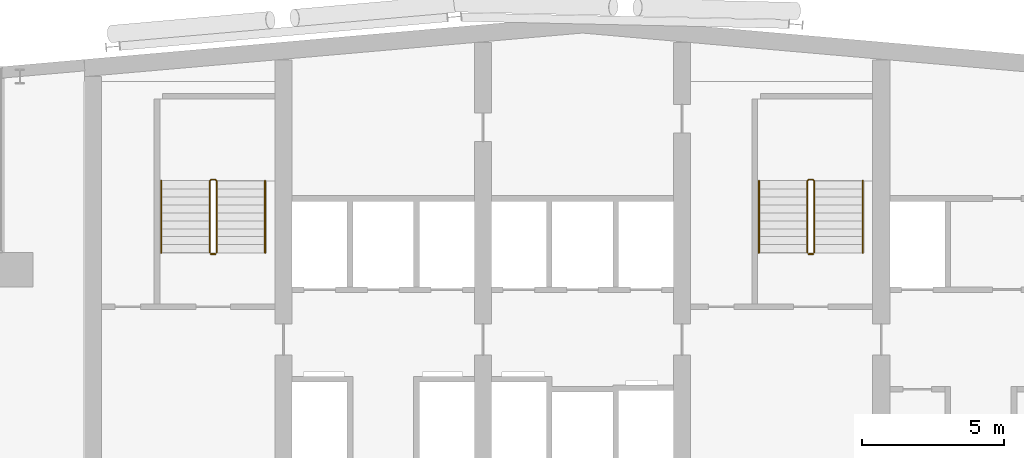
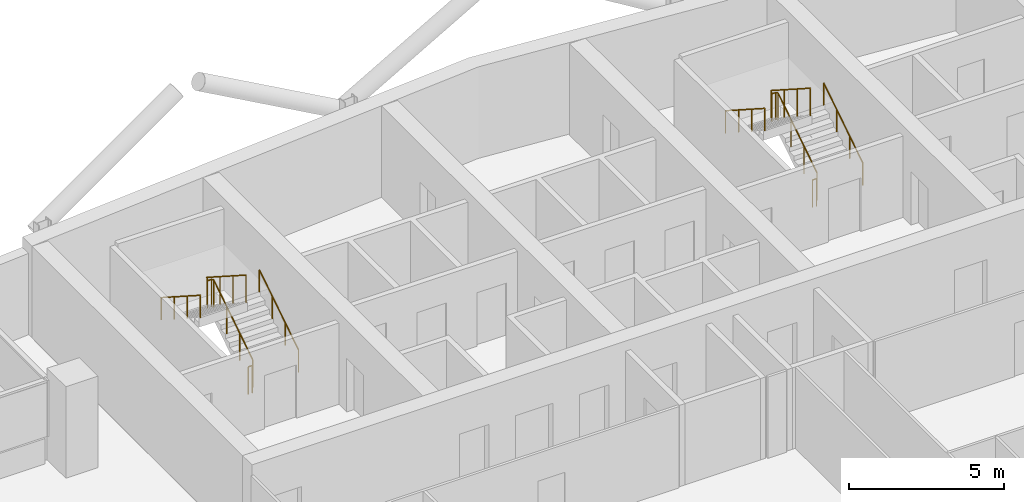
# One storey, part 25 of 25: 8 railings.
"""IFC4 building model written with IfcOpenShell, lengths in metres."""

import ifcopenshell
import ifcopenshell.guid

model = None  # the IFC model being written
_history = None  # IfcOwnerHistory: only IFC2X3 demands one
_inside = {}  # id of a spatial element -> (the spatial element, [elements in it])
_under = {}  # id of a project, library or spatial element -> (it, [spatial elements below it])
_declared = {}  # id of a project -> (the project, [libraries it declares])
_typed = {}  # id of a type object -> (the type object, [elements of that type])
_made_of = {}  # id of a material, layer set ... -> (it, [elements and type objects made of it])


def new_model(schema):
    """Start an empty IFC model of exactly this schema.

    Asked for "IFC4X3", IfcOpenShell would pick the latest addendum, in which some entities
    have other attributes; the version numbers below select the first issue.
    IFC2X3 requires an IfcOwnerHistory on every rooted entity: one is made here for all.
    """
    global model, _history
    if schema == "IFC4X3":
        model = ifcopenshell.file(schema_version=(4, 3, 0, 0))
    else:
        model = ifcopenshell.file(schema=schema)
    _inside.clear()
    _under.clear()
    _declared.clear()
    _typed.clear()
    _made_of.clear()
    _history = None
    if model.schema == "IFC2X3":
        org = make("IfcOrganization", Name="unknown")
        user = make(
            "IfcPersonAndOrganization",
            ThePerson=make("IfcPerson", FamilyName="unknown"),
            TheOrganization=org,
        )
        app = make(
            "IfcApplication",
            ApplicationDeveloper=org,
            Version="unknown",
            ApplicationFullName="unknown",
            ApplicationIdentifier="unknown",
        )
        _history = make(
            "IfcOwnerHistory",
            OwningUser=user,
            OwningApplication=app,
            ChangeAction="ADDED",
            CreationDate=0,
        )
    return model


def make(cls, **values):
    """One entity of the class cls with the attributes given. An attribute that is None is left unset."""
    return model.create_entity(
        cls, **{name: value for name, value in values.items() if value is not None}
    )


def rooted(cls, **values):
    """An entity with a GlobalId (a new one), such as an element, a storey or a relation."""
    return make(cls, GlobalId=ifcopenshell.guid.new(), OwnerHistory=_history, **values)


def si_unit(unit_type, name, prefix=None):
    """IfcSIUnit, for example si_unit("LENGTHUNIT", "METRE", prefix="MILLI")."""
    return make("IfcSIUnit", UnitType=unit_type, Prefix=prefix, Name=name)


def assignment(units):
    """IfcUnitAssignment: the units of a project."""
    return None if units is None else make("IfcUnitAssignment", Units=units)


def point(xyz):
    """IfcCartesianPoint."""
    return None if xyz is None else make("IfcCartesianPoint", Coordinates=xyz)


def direction(xyz):
    """IfcDirection."""
    return None if xyz is None else make("IfcDirection", DirectionRatios=xyz)


def frame(location, z_axis=None, x_axis=None):
    """IfcAxis2Placement3D, a coordinate frame: its origin and axes. An axis left out is left unset."""
    return make(
        "IfcAxis2Placement3D",
        Location=point(location),
        Axis=direction(z_axis),
        RefDirection=direction(x_axis),
    )


def frame_2d(location, x_axis=None):
    """IfcAxis2Placement2D, a coordinate frame in the plane: its origin and x axis."""
    return make(
        "IfcAxis2Placement2D", Location=point(location), RefDirection=direction(x_axis)
    )


def origin():
    """The frame at (0, 0, 0) with its axes left unset."""
    return frame((0.0, 0.0, 0.0))


def origin_2d():
    """The frame at (0, 0) in the plane with its x axis left unset."""
    return frame_2d((0.0, 0.0))


def place(relative_to, where):
    """IfcLocalPlacement: puts the frame where relative to a parent placement (None: the world)."""
    return make(
        "IfcLocalPlacement", PlacementRelTo=relative_to, RelativePlacement=where
    )


def context(
    kind, dimensions, precision=None, world=None, true_north=None, identifier=None
):
    """IfcGeometricRepresentationContext, for example the 3D "Model" context."""
    return make(
        "IfcGeometricRepresentationContext",
        ContextIdentifier=identifier,
        ContextType=kind,
        CoordinateSpaceDimension=dimensions,
        Precision=precision,
        WorldCoordinateSystem=world,
        TrueNorth=true_north,
    )


def subcontext(parent, identifier, kind, view, scale=None):
    """IfcGeometricRepresentationSubContext, for example "Body" below "Model"."""
    return make(
        "IfcGeometricRepresentationSubContext",
        ContextIdentifier=identifier,
        ContextType=kind,
        ParentContext=parent,
        TargetScale=scale,
        TargetView=view,
    )


def project(units=None, contexts=None):
    """IfcProject with its units and contexts."""
    return rooted(
        "IfcProject",
        Name="project",
        RepresentationContexts=contexts,
        UnitsInContext=assignment(units),
    )


def spatial(cls, under=None, at=None, **own):
    """A site, building, storey or space (cls), placed at a placement, below another one or the project."""
    s = rooted(cls, ObjectPlacement=at, **own)
    if under is not None:
        _under.setdefault(under.id(), (under, []))[1].append(s)
    return s


def profile(cls, at=None, kind="AREA", **sizes):
    """A parametric profile (cls). Its sizes go by their IFC names, for example OverallWidth=200.0."""
    return make(cls, ProfileType=kind, Position=at, **sizes)


def circle(**sizes):
    """IfcCircleProfileDef."""
    return profile("IfcCircleProfileDef", **sizes)


def extrude(swept, where, along, depth):
    """IfcExtrudedAreaSolid: the profile swept, set in the frame where, extruded along a direction by depth."""
    return make(
        "IfcExtrudedAreaSolid",
        SweptArea=swept,
        Position=where,
        ExtrudedDirection=direction(along),
        Depth=depth,
    )


def shape(context_of_items, identifier, shape_type, items):
    """IfcShapeRepresentation: the items that make up one representation, for example the "Body"."""
    return make(
        "IfcShapeRepresentation",
        ContextOfItems=context_of_items,
        RepresentationIdentifier=identifier,
        RepresentationType=shape_type,
        Items=items,
    )


def material(Name=None, Category=None):
    """IfcMaterial."""
    return make("IfcMaterial", Name=Name, Category=Category)


def made_of(thing, what):
    """Note that an element or type object is made of a material, layer set ...; save() writes the relation."""
    if what is not None:
        _made_of.setdefault(what.id(), (what, []))[1].append(thing)
    return thing


def type_object(cls, material=None, **own):
    """A type object (cls), such as IfcWallType, which elements share."""
    return made_of(rooted(cls, **own), material)


def element(
    cls,
    number,
    at=None,
    inside=None,
    cuts=None,
    type_object=None,
    material=None,
    context=None,
    identifier="Body",
    shape_type=None,
    held_by="IfcProductDefinitionShape",
    body=None,
    shapes=None,
    **own,
):
    """One element of the class cls, such as IfcWall. Its Tag is "e" and its number.

    at: its placement. inside: the storey or other place that contains it. cuts: it is an
    opening in that element (IfcRelVoidsElement). A single representation is given by context,
    identifier, shape_type and body (its items); several are given by shapes. held_by: the class
    of the entity that holds the representations. save() writes the other relations.
    """
    e = rooted(cls, Tag="e%d" % number, ObjectPlacement=at, **own)
    if body is not None:
        shapes = [shape(context, identifier, shape_type, body)]
    if shapes is not None:
        e.Representation = make(held_by, Representations=shapes)
    if inside is not None:
        _inside.setdefault(inside.id(), (inside, []))[1].append(e)
    if cuts is not None:
        rooted(
            "IfcRelVoidsElement", RelatingBuildingElement=cuts, RelatedOpeningElement=e
        )
    if type_object is not None:
        _typed.setdefault(type_object.id(), (type_object, []))[1].append(e)
    return made_of(e, material)


def aggregate(whole, parts):
    """IfcRelAggregates: a whole, such as a stair, and the parts it consists of."""
    return rooted("IfcRelAggregates", RelatingObject=whole, RelatedObjects=parts)


def save(model, path):
    """Write the relations noted so far, then the file.

    IfcRelAggregates (storeys below a building ...), IfcRelContainedInSpatialStructure (elements
    in a storey), IfcRelDefinesByType, IfcRelAssociatesMaterial and IfcRelDeclares: one each for
    every whole, place, type object, material and project.
    """
    for whole, parts in _under.values():
        aggregate(whole, parts)
    for where, things in _inside.values():
        rooted(
            "IfcRelContainedInSpatialStructure",
            RelatedElements=things,
            RelatingStructure=where,
        )
    for kind, things in _typed.values():
        rooted("IfcRelDefinesByType", RelatedObjects=things, RelatingType=kind)
    for what, things in _made_of.values():
        rooted("IfcRelAssociatesMaterial", RelatedObjects=things, RelatingMaterial=what)
    for by, libraries in _declared.values():
        rooted("IfcRelDeclares", RelatingContext=by, RelatedDefinitions=libraries)
    model.write(path)


model = new_model("IFC4")

# Units and contexts
model_context = context("Model", 3, precision=1e-05, world=origin(), true_north=direction((0.0, 1.0)))
body_context = subcontext(model_context, "Body", "Model", "MODEL_VIEW")
ifc_project = project(units=[si_unit("LENGTHUNIT", "METRE"), si_unit("AREAUNIT", "SQUARE_METRE"), si_unit("VOLUMEUNIT", "CUBIC_METRE"), si_unit("PLANEANGLEUNIT", "RADIAN"), si_unit("MASSUNIT", "GRAM", prefix="KILO")], contexts=[model_context])

# Site, building, storey
site_placement = place(None, origin())
site = spatial("IfcSite", under=ifc_project, at=site_placement, CompositionType="ELEMENT")
building_placement = place(site_placement, origin())
building = spatial("IfcBuilding", under=site, at=building_placement, Name="Wharfspan Tower", CompositionType="ELEMENT")
storey_placement = place(building_placement, frame((0.0, 0.0, 232.300049)))
storey = spatial("IfcBuildingStorey", under=building, at=storey_placement, Name="L58", CompositionType="ELEMENT", Elevation=232.300049)

# Railings
ifc_material = material(Name="Steel S355J2", Category="steel")
railing_type_1 = type_object("IfcRailingType", Name="Stair guard 1100", PredefinedType="GUARDRAIL", material=ifc_material)
railing_1_placement = place(storey_placement, frame((27.649902, 42.0, 0.179932)))
element("IfcRailing", 1, at=railing_1_placement, inside=storey, type_object=railing_type_1, Name="L58 ST1 stair guard 1", PredefinedType="GUARDRAIL", context=body_context, shape_type="SweptSolid", body=[
    extrude(circle(Radius=0.023926, at=origin_2d()), frame((0.0, 0.0, 1.076172), z_axis=(0.0, 0.841163, 0.540782), x_axis=(-1.0, 0.0, 0.0)), (0.0, 0.0, 1.0), 2.99585),
    extrude(circle(Radius=0.023926, at=origin_2d()), frame((0.0, 2.52002, 2.696289), z_axis=(-0.705376, 0.708834, 0.0), x_axis=(-0.708834, -0.705376, 0.0)), (0.0, 0.0, 1.0), 0.070557),
    extrude(circle(Radius=0.023926, at=origin_2d()), frame((-0.049805, 2.570068, 2.696289), z_axis=(-1.0, 0.0, 0.0), x_axis=(0.0, -1.0, 0.0)), (0.0, 0.0, 1.0), 0.150146),
    extrude(circle(Radius=0.023926, at=origin_2d()), frame((-0.199951, 2.570068, 2.696289), z_axis=(-0.258848, -0.258848, 0.930589), x_axis=(0.707107, -0.707107, 0.0)), (0.0, 0.0, 1.0), 0.193359),
    extrude(circle(Radius=0.023926, at=origin_2d()), frame((-0.25, 2.52002, 2.875977), z_axis=(0.0, -0.8412, 0.540725), x_axis=(1.0, 0.0, 0.0)), (0.0, 0.0, 1.0), 2.99585),
    extrude(circle(Radius=0.020996, at=origin_2d()), origin(), (0.0, 0.0, 1.0), 1.052002),
    extrude(circle(Radius=0.020996, at=origin_2d()), frame((0.0, 0.840088, 0.540039)), (0.0, 0.0, 1.0), 1.052002),
    extrude(circle(Radius=0.020996, at=origin_2d()), frame((0.0, 1.679932, 1.080078)), (0.0, 0.0, 1.0), 1.052002),
    extrude(circle(Radius=0.020996, at=origin_2d()), frame((0.0, 2.52002, 1.620117)), (0.0, 0.0, 1.0), 1.052002),
    extrude(circle(Radius=0.020996, at=origin_2d()), frame((-0.049805, 2.570068, 1.620117)), (0.0, 0.0, 1.0), 1.052002),
    extrude(circle(Radius=0.020996, at=origin_2d()), frame((-0.199951, 2.570068, 1.620117)), (0.0, 0.0, 1.0), 1.052002),
    extrude(circle(Radius=0.020996, at=origin_2d()), frame((-0.25, 2.52002, 1.800049)), (0.0, 0.0, 1.0), 1.052002),
    extrude(circle(Radius=0.020996, at=origin_2d()), frame((-0.25, 1.679932, 2.340088)), (0.0, 0.0, 1.0), 1.052002),
    extrude(circle(Radius=0.020996, at=origin_2d()), frame((-0.25, 0.840088, 2.879883)), (0.0, 0.0, 1.0), 1.052002),
    extrude(circle(Radius=0.020996, at=origin_2d()), frame((-0.25, 0.0, 3.419922)), (0.0, 0.0, 1.0), 1.052002),
])
railing_2_placement = place(storey_placement, frame((27.600098, 41.949951, 0.0)))
element("IfcRailing", 2, at=railing_2_placement, inside=storey, type_object=railing_type_1, Name="L58 ST1 stair guard 2", PredefinedType="GUARDRAIL", context=body_context, shape_type="SweptSolid", body=[
    extrude(circle(Radius=0.023926, at=origin_2d()), frame((0.0, 0.0, 1.076172), z_axis=(-1.0, 0.0, 0.0), x_axis=(0.0, -1.0, 0.0)), (0.0, 0.0, 1.0), 0.150146),
    extrude(circle(Radius=0.020996, at=origin_2d()), origin(), (0.0, 0.0, 1.0), 1.052002),
    extrude(circle(Radius=0.020996, at=origin_2d()), frame((-0.150146, 0.0, 0.0)), (0.0, 0.0, 1.0), 1.052002),
])
railing_3_placement = place(storey_placement, frame((48.649902, 42.0, 0.179932)))
element("IfcRailing", 3, at=railing_3_placement, inside=storey, type_object=railing_type_1, Name="L58 ST2 stair guard 1", PredefinedType="GUARDRAIL", context=body_context, shape_type="SweptSolid", body=[
    extrude(circle(Radius=0.023926, at=origin_2d()), frame((0.0, 0.0, 1.076172), z_axis=(0.0, 0.841163, 0.540782), x_axis=(-1.0, 0.0, 0.0)), (0.0, 0.0, 1.0), 2.99585),
    extrude(circle(Radius=0.023926, at=origin_2d()), frame((0.0, 2.52002, 2.696289), z_axis=(-0.705376, 0.708834, 0.0), x_axis=(-0.708834, -0.705376, 0.0)), (0.0, 0.0, 1.0), 0.070557),
    extrude(circle(Radius=0.023926, at=origin_2d()), frame((-0.049805, 2.570068, 2.696289), z_axis=(-1.0, 0.0, 0.0), x_axis=(0.0, -1.0, 0.0)), (0.0, 0.0, 1.0), 0.150146),
    extrude(circle(Radius=0.023926, at=origin_2d()), frame((-0.199951, 2.570068, 2.696289), z_axis=(-0.258848, -0.258848, 0.930589), x_axis=(0.707107, -0.707107, 0.0)), (0.0, 0.0, 1.0), 0.193359),
    extrude(circle(Radius=0.023926, at=origin_2d()), frame((-0.25, 2.52002, 2.875977), z_axis=(0.0, -0.8412, 0.540725), x_axis=(1.0, 0.0, 0.0)), (0.0, 0.0, 1.0), 2.99585),
    extrude(circle(Radius=0.020996, at=origin_2d()), origin(), (0.0, 0.0, 1.0), 1.052002),
    extrude(circle(Radius=0.020996, at=origin_2d()), frame((0.0, 0.840088, 0.540039)), (0.0, 0.0, 1.0), 1.052002),
    extrude(circle(Radius=0.020996, at=origin_2d()), frame((0.0, 1.679932, 1.080078)), (0.0, 0.0, 1.0), 1.052002),
    extrude(circle(Radius=0.020996, at=origin_2d()), frame((0.0, 2.52002, 1.620117)), (0.0, 0.0, 1.0), 1.052002),
    extrude(circle(Radius=0.020996, at=origin_2d()), frame((-0.049805, 2.570068, 1.620117)), (0.0, 0.0, 1.0), 1.052002),
    extrude(circle(Radius=0.020996, at=origin_2d()), frame((-0.199951, 2.570068, 1.620117)), (0.0, 0.0, 1.0), 1.052002),
    extrude(circle(Radius=0.020996, at=origin_2d()), frame((-0.25, 2.52002, 1.800049)), (0.0, 0.0, 1.0), 1.052002),
    extrude(circle(Radius=0.020996, at=origin_2d()), frame((-0.25, 1.679932, 2.340088)), (0.0, 0.0, 1.0), 1.052002),
    extrude(circle(Radius=0.020996, at=origin_2d()), frame((-0.25, 0.840088, 2.879883)), (0.0, 0.0, 1.0), 1.052002),
    extrude(circle(Radius=0.020996, at=origin_2d()), frame((-0.25, 0.0, 3.419922)), (0.0, 0.0, 1.0), 1.052002),
])
railing_4_placement = place(storey_placement, frame((48.600098, 41.949951, 0.0)))
element("IfcRailing", 4, at=railing_4_placement, inside=storey, type_object=railing_type_1, Name="L58 ST2 stair guard 2", PredefinedType="GUARDRAIL", context=body_context, shape_type="SweptSolid", body=[
    extrude(circle(Radius=0.023926, at=origin_2d()), frame((0.0, 0.0, 1.076172), z_axis=(-1.0, 0.0, 0.0), x_axis=(0.0, -1.0, 0.0)), (0.0, 0.0, 1.0), 0.150146),
    extrude(circle(Radius=0.020996, at=origin_2d()), origin(), (0.0, 0.0, 1.0), 1.052002),
    extrude(circle(Radius=0.020996, at=origin_2d()), frame((-0.150146, 0.0, 0.0)), (0.0, 0.0, 1.0), 1.052002),
])
railing_type_2 = type_object("IfcRailingType", Name="Stair handrail 900", PredefinedType="HANDRAIL", material=ifc_material)
railing_5_placement = place(storey_placement, frame((29.350098, 42.0, 0.179932)))
element("IfcRailing", 5, at=railing_5_placement, inside=storey, type_object=railing_type_2, Name="L58 ST1 stair handrail 1", PredefinedType="HANDRAIL", context=body_context, shape_type="SweptSolid", body=[
    extrude(circle(Radius=0.023926, at=origin_2d()), frame((0.0, 0.0, 0.875977), z_axis=(0.0, 0.841163, 0.540782), x_axis=(-1.0, 0.0, 0.0)), (0.0, 0.0, 1.0), 2.99585),
    extrude(circle(Radius=0.020996, at=origin_2d()), origin(), (0.0, 0.0, 1.0), 0.851807),
    extrude(circle(Radius=0.020996, at=origin_2d()), frame((0.0, 0.840088, 0.540039)), (0.0, 0.0, 1.0), 0.851807),
    extrude(circle(Radius=0.020996, at=origin_2d()), frame((0.0, 1.679932, 1.080078)), (0.0, 0.0, 1.0), 0.851807),
    extrude(circle(Radius=0.020996, at=origin_2d()), frame((0.0, 2.52002, 1.620117)), (0.0, 0.0, 1.0), 0.851807),
])
railing_6_placement = place(storey_placement, frame((25.699951, 44.52002, 1.97998)))
element("IfcRailing", 6, at=railing_6_placement, inside=storey, type_object=railing_type_2, Name="L58 ST1 stair handrail 2", PredefinedType="HANDRAIL", context=body_context, shape_type="SweptSolid", body=[
    extrude(circle(Radius=0.023926, at=origin_2d()), frame((0.0, 0.0, 0.875977), z_axis=(0.0, -0.8412, 0.540725), x_axis=(1.0, 0.0, 0.0)), (0.0, 0.0, 1.0), 2.99585),
    extrude(circle(Radius=0.020996, at=origin_2d()), origin(), (0.0, 0.0, 1.0), 0.851807),
    extrude(circle(Radius=0.020996, at=origin_2d()), frame((0.0, -0.840088, 0.540039)), (0.0, 0.0, 1.0), 0.851807),
    extrude(circle(Radius=0.020996, at=origin_2d()), frame((0.0, -1.679932, 1.079834)), (0.0, 0.0, 1.0), 0.851807),
    extrude(circle(Radius=0.020996, at=origin_2d()), frame((0.0, -2.52002, 1.619873)), (0.0, 0.0, 1.0), 0.851807),
])
railing_7_placement = place(storey_placement, frame((50.350098, 42.0, 0.179932)))
element("IfcRailing", 7, at=railing_7_placement, inside=storey, type_object=railing_type_2, Name="L58 ST2 stair handrail 1", PredefinedType="HANDRAIL", context=body_context, shape_type="SweptSolid", body=[
    extrude(circle(Radius=0.023926, at=origin_2d()), frame((0.0, 0.0, 0.875977), z_axis=(0.0, 0.841163, 0.540782), x_axis=(-1.0, 0.0, 0.0)), (0.0, 0.0, 1.0), 2.99585),
    extrude(circle(Radius=0.020996, at=origin_2d()), origin(), (0.0, 0.0, 1.0), 0.851807),
    extrude(circle(Radius=0.020996, at=origin_2d()), frame((0.0, 0.840088, 0.540039)), (0.0, 0.0, 1.0), 0.851807),
    extrude(circle(Radius=0.020996, at=origin_2d()), frame((0.0, 1.679932, 1.080078)), (0.0, 0.0, 1.0), 0.851807),
    extrude(circle(Radius=0.020996, at=origin_2d()), frame((0.0, 2.52002, 1.620117)), (0.0, 0.0, 1.0), 0.851807),
])
railing_8_placement = place(storey_placement, frame((46.699951, 44.52002, 1.97998)))
element("IfcRailing", 8, at=railing_8_placement, inside=storey, type_object=railing_type_2, Name="L58 ST2 stair handrail 2", PredefinedType="HANDRAIL", context=body_context, shape_type="SweptSolid", body=[
    extrude(circle(Radius=0.023926, at=origin_2d()), frame((0.0, 0.0, 0.875977), z_axis=(0.0, -0.8412, 0.540725), x_axis=(1.0, 0.0, 0.0)), (0.0, 0.0, 1.0), 2.99585),
    extrude(circle(Radius=0.020996, at=origin_2d()), origin(), (0.0, 0.0, 1.0), 0.851807),
    extrude(circle(Radius=0.020996, at=origin_2d()), frame((0.0, -0.840088, 0.540039)), (0.0, 0.0, 1.0), 0.851807),
    extrude(circle(Radius=0.020996, at=origin_2d()), frame((0.0, -1.679932, 1.079834)), (0.0, 0.0, 1.0), 0.851807),
    extrude(circle(Radius=0.020996, at=origin_2d()), frame((0.0, -2.52002, 1.619873)), (0.0, 0.0, 1.0), 0.851807),
])

save(model, "model.ifc")
